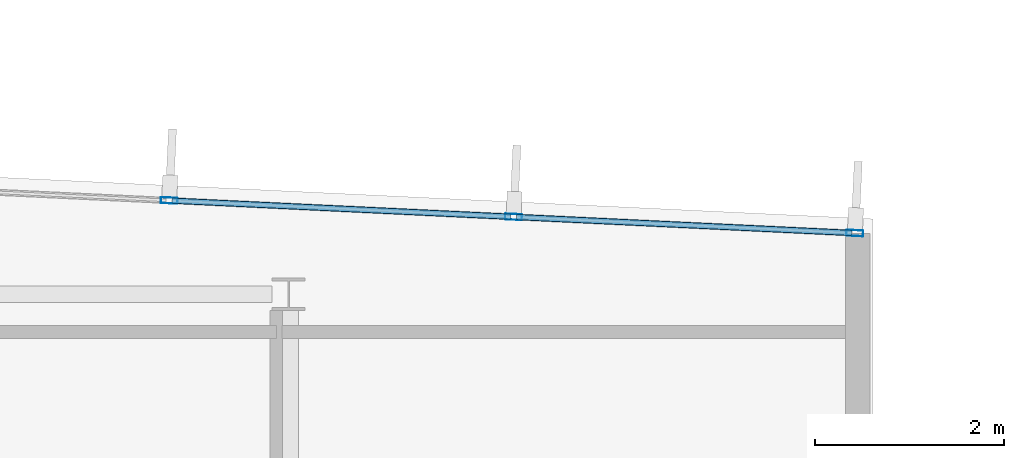
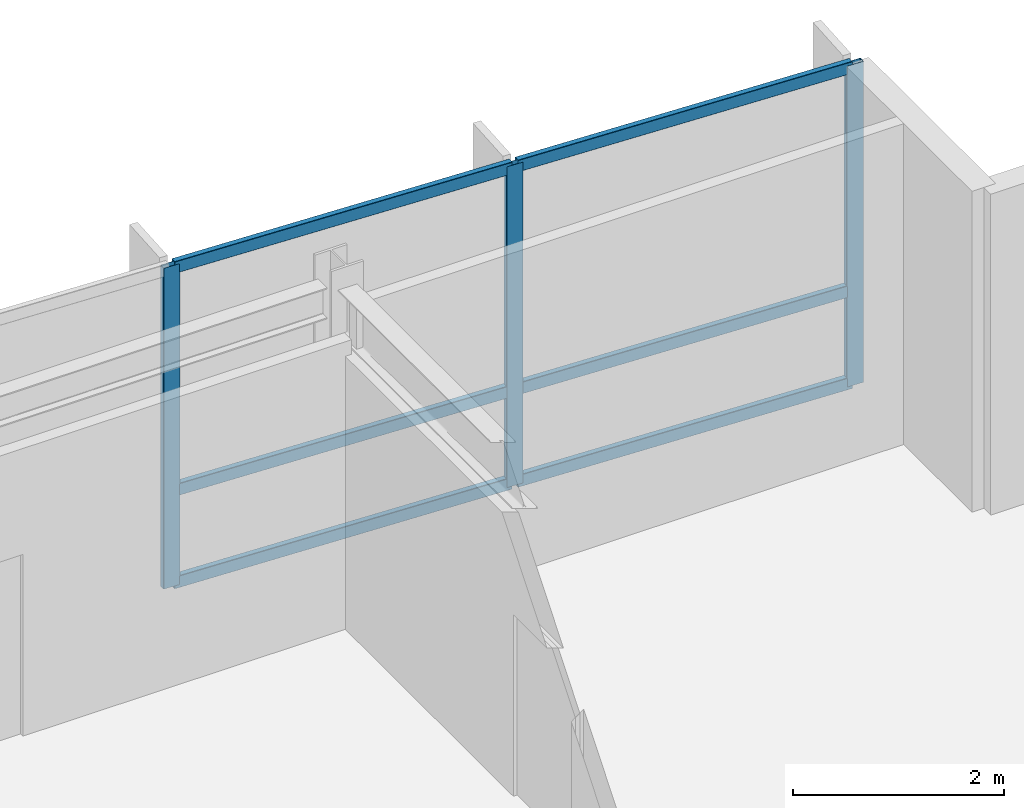
# One storey, part 8 of 17: 9 members, 1 element without a shape of its own.
"""IFC4 building model written with IfcOpenShell, lengths in metres."""

from ifc_helpers import new_model, si_unit, direction, frame, origin, origin_2d, place, context, subcontext, project, spatial, hollow_rectangle, extrude, material, layer, layer_set, material_profile, profile_set, type_object, element, aggregate, save


model = new_model("IFC4")

# Units and contexts
model_context = context("Model", 3, precision=1e-05, world=origin(), true_north=direction((0.0, 1.0)))
body_context = subcontext(model_context, "Body", "Model", "MODEL_VIEW")
ifc_project = project(units=[si_unit("LENGTHUNIT", "METRE"), si_unit("AREAUNIT", "SQUARE_METRE"), si_unit("VOLUMEUNIT", "CUBIC_METRE"), si_unit("PLANEANGLEUNIT", "RADIAN"), si_unit("MASSUNIT", "GRAM", prefix="KILO")], contexts=[model_context])

# Site, building, storey
site_placement = place(None, origin())
site = spatial("IfcSite", under=ifc_project, at=site_placement, CompositionType="ELEMENT")
building_placement = place(site_placement, origin())
building = spatial("IfcBuilding", under=site, at=building_placement, Name="Varnakote Quay Hospital", CompositionType="ELEMENT")
storey_placement = place(building_placement, frame((0.0, 0.0, 256.550048828125)))
storey = spatial("IfcBuildingStorey", under=building, at=storey_placement, Name="L63", CompositionType="ELEMENT", Elevation=256.550048828125)

# Curtain wall, members
ifc_material_1 = material(Name="Anodised aluminium 6063-T6 Bronze", Category="aluminium")
ifc_layer = layer(ifc_material_1, 0.235107421875)
ifc_layer_set = layer_set([ifc_layer], Name="Anodised aluminium 6063-T6 Bronze")
curtain_wall_type = type_object("IfcCurtainWallType", Name="CW-SYS-5", PredefinedType="NOTDEFINED", material=ifc_layer_set)
curtain_wall_placement = place(storey_placement, origin())
curtain_wall = element("IfcCurtainWall", 1, at=curtain_wall_placement, inside=storey, type_object=curtain_wall_type, Name="L63 Unitised Bronze Curtain Wall 1", PredefinedType="NOTDEFINED")
ifc_material_2 = material(Name="Anodised aluminium 6063-T6 Bronze", Category="aluminium")
ifc_material_profile_1 = material_profile(ifc_material_2, hollow_rectangle(XDim=0.06494140625, YDim=0.179931640625, WallThickness=0.00390625, InnerFilletRadius=0.00390625, OuterFilletRadius=0.008056640625, at=origin_2d()), Name="CW-MULL-180x65")
ifc_profile_set_1 = profile_set([ifc_material_profile_1], Name="Anodised aluminium 6063-T6 Bronze")
member_type_1 = type_object("IfcMemberType", Name="CW-MULL-180x65", PredefinedType="MULLION", material=ifc_profile_set_1)
member_1_placement = place(storey_placement, frame((39.607421875, 29.448974609375, 0.0), z_axis=(0.0, 0.0, 1.0), x_axis=(-0.04749674026, -0.998871392955, 0.0)))
member_1 = element("IfcMember", 2, at=member_1_placement, type_object=member_type_1, Name="-5-L63-1 mullion 1", PredefinedType="MULLION", context=body_context, shape_type="SweptSolid", body=[
    extrude(hollow_rectangle(XDim=0.06494140625, YDim=0.179931640625, WallThickness=0.00390625, InnerFilletRadius=0.00390625, OuterFilletRadius=0.008056640625, at=origin_2d()), origin(), (0.0, 0.0, 1.0), 3.7099609375),
])
member_2_placement = place(storey_placement, frame((35.986328125, 29.62109375, 0.0), z_axis=(0.0, 0.0, 1.0), x_axis=(-0.04749674026, -0.998871392955, 0.0)))
member_2 = element("IfcMember", 3, at=member_2_placement, type_object=member_type_1, Name="-5-L63-1 mullion 2", PredefinedType="MULLION", context=body_context, shape_type="SweptSolid", body=[
    extrude(hollow_rectangle(XDim=0.06494140625, YDim=0.179931640625, WallThickness=0.00390625, InnerFilletRadius=0.00390625, OuterFilletRadius=0.008056640625, at=origin_2d()), origin(), (0.0, 0.0, 1.0), 3.7099609375),
])
member_3_placement = place(storey_placement, frame((32.332763671875, 29.794921875, 0.0), z_axis=(0.0, 0.0, 1.0), x_axis=(-0.04749674026, -0.998871392955, 0.0)))
member_3 = element("IfcMember", 4, at=member_3_placement, type_object=member_type_1, Name="-5-L63-1 mullion 3", PredefinedType="MULLION", context=body_context, shape_type="SweptSolid", body=[
    extrude(hollow_rectangle(XDim=0.06494140625, YDim=0.179931640625, WallThickness=0.00390625, InnerFilletRadius=0.00390625, OuterFilletRadius=0.008056640625, at=origin_2d()), origin(), (0.0, 0.0, 1.0), 3.7099609375),
])
ifc_material_3 = material(Name="Anodised aluminium 6063-T6 Bronze", Category="aluminium")
ifc_material_profile_2 = material_profile(ifc_material_3, hollow_rectangle(XDim=0.06494140625, YDim=0.139892578125, WallThickness=0.00390625, InnerFilletRadius=0.00390625, OuterFilletRadius=0.007568359375, at=origin_2d()), Name="CW-TRAN-140x65")
ifc_profile_set_2 = profile_set([ifc_material_profile_2], Name="Anodised aluminium 6063-T6 Bronze")
member_type_2 = type_object("IfcMemberType", Name="CW-TRAN-140x65", PredefinedType="USERDEFINED", material=ifc_profile_set_2)
member_4_placement = place(storey_placement, frame((39.5751953125, 29.450439453125, 0.032470703125), z_axis=(-0.998870308608, 0.047519538949, 0.0), x_axis=(-0.047519538949, -0.998870308608, 0.0)))
member_4 = element("IfcMember", 5, at=member_4_placement, type_object=member_type_2, Name="-5-L63-1 transom 1.1", ObjectType="TRANSOM", PredefinedType="USERDEFINED", context=body_context, shape_type="SweptSolid", body=[
    extrude(hollow_rectangle(XDim=0.06494140625, YDim=0.139892578125, WallThickness=0.00390625, InnerFilletRadius=0.00390625, OuterFilletRadius=0.007568359375, at=origin_2d()), origin(), (0.0, 0.0, 1.0), 3.560302734375),
])
member_5_placement = place(storey_placement, frame((39.5751953125, 29.450439453125, 1.099853515625), z_axis=(-0.998870308608, 0.047519538949, 0.0), x_axis=(-0.047519538949, -0.998870308608, 0.0)))
member_5 = element("IfcMember", 6, at=member_5_placement, type_object=member_type_2, Name="-5-L63-1 transom 1.2", ObjectType="TRANSOM", PredefinedType="USERDEFINED", context=body_context, shape_type="SweptSolid", body=[
    extrude(hollow_rectangle(XDim=0.06494140625, YDim=0.139892578125, WallThickness=0.00390625, InnerFilletRadius=0.00390625, OuterFilletRadius=0.007568359375, at=origin_2d()), origin(), (0.0, 0.0, 1.0), 3.560302734375),
])
member_6_placement = place(storey_placement, frame((39.5751953125, 29.450439453125, 3.677490234375), z_axis=(-0.998870308608, 0.047519538949, 0.0), x_axis=(-0.047519538949, -0.998870308608, 0.0)))
member_6 = element("IfcMember", 7, at=member_6_placement, type_object=member_type_2, Name="-5-L63-1 transom 1.3", ObjectType="TRANSOM", PredefinedType="USERDEFINED", context=body_context, shape_type="SweptSolid", body=[
    extrude(hollow_rectangle(XDim=0.06494140625, YDim=0.139892578125, WallThickness=0.00390625, InnerFilletRadius=0.00390625, OuterFilletRadius=0.007568359375, at=origin_2d()), origin(), (0.0, 0.0, 1.0), 3.560302734375),
])
member_7_placement = place(storey_placement, frame((35.953857421875, 29.62255859375, 0.032470703125), z_axis=(-0.998871210526, 0.047500576649, 0.0), x_axis=(-0.047500576649, -0.998871210526, 0.0)))
member_7 = element("IfcMember", 8, at=member_7_placement, type_object=member_type_2, Name="-5-L63-1 transom 2.1", ObjectType="TRANSOM", PredefinedType="USERDEFINED", context=body_context, shape_type="SweptSolid", body=[
    extrude(hollow_rectangle(XDim=0.06494140625, YDim=0.139892578125, WallThickness=0.00390625, InnerFilletRadius=0.00390625, OuterFilletRadius=0.007568359375, at=origin_2d()), origin(), (0.0, 0.0, 1.0), 3.5927734375),
])
member_8_placement = place(storey_placement, frame((35.953857421875, 29.62255859375, 1.099853515625), z_axis=(-0.998871210526, 0.047500576649, 0.0), x_axis=(-0.047500576649, -0.998871210526, 0.0)))
member_8 = element("IfcMember", 9, at=member_8_placement, type_object=member_type_2, Name="-5-L63-1 transom 2.2", ObjectType="TRANSOM", PredefinedType="USERDEFINED", context=body_context, shape_type="SweptSolid", body=[
    extrude(hollow_rectangle(XDim=0.06494140625, YDim=0.139892578125, WallThickness=0.00390625, InnerFilletRadius=0.00390625, OuterFilletRadius=0.007568359375, at=origin_2d()), origin(), (0.0, 0.0, 1.0), 3.5927734375),
])
member_9_placement = place(storey_placement, frame((35.953857421875, 29.62255859375, 3.677490234375), z_axis=(-0.998871210526, 0.047500576649, 0.0), x_axis=(-0.047500576649, -0.998871210526, 0.0)))
member_9 = element("IfcMember", 10, at=member_9_placement, type_object=member_type_2, Name="-5-L63-1 transom 2.3", ObjectType="TRANSOM", PredefinedType="USERDEFINED", context=body_context, shape_type="SweptSolid", body=[
    extrude(hollow_rectangle(XDim=0.06494140625, YDim=0.139892578125, WallThickness=0.00390625, InnerFilletRadius=0.00390625, OuterFilletRadius=0.007568359375, at=origin_2d()), origin(), (0.0, 0.0, 1.0), 3.5927734375),
])
aggregate(curtain_wall, [member_1, member_2, member_3, member_4, member_5, member_6, member_7, member_8, member_9])

save(model, "model.ifc")
